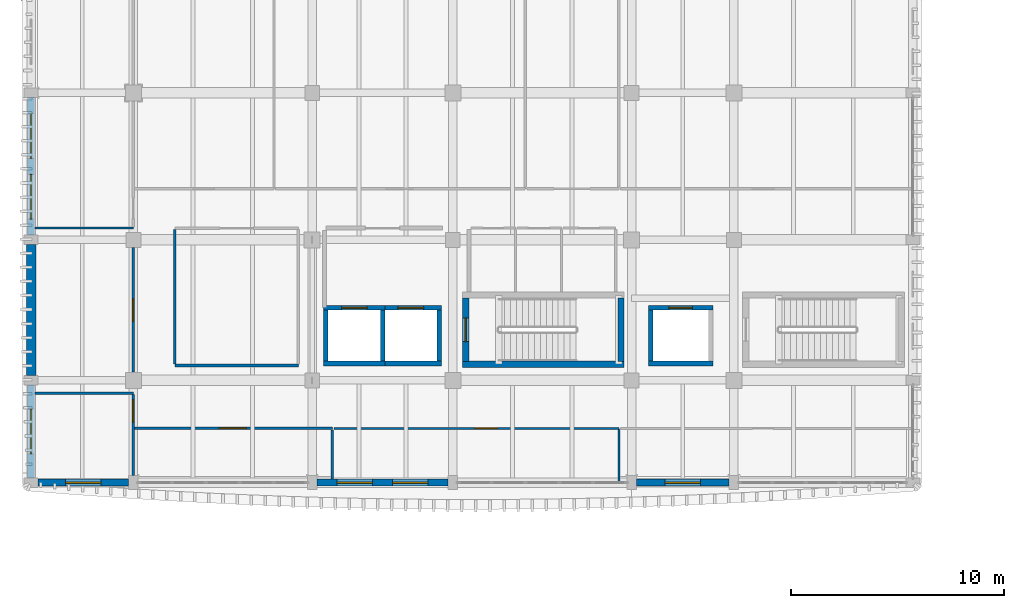
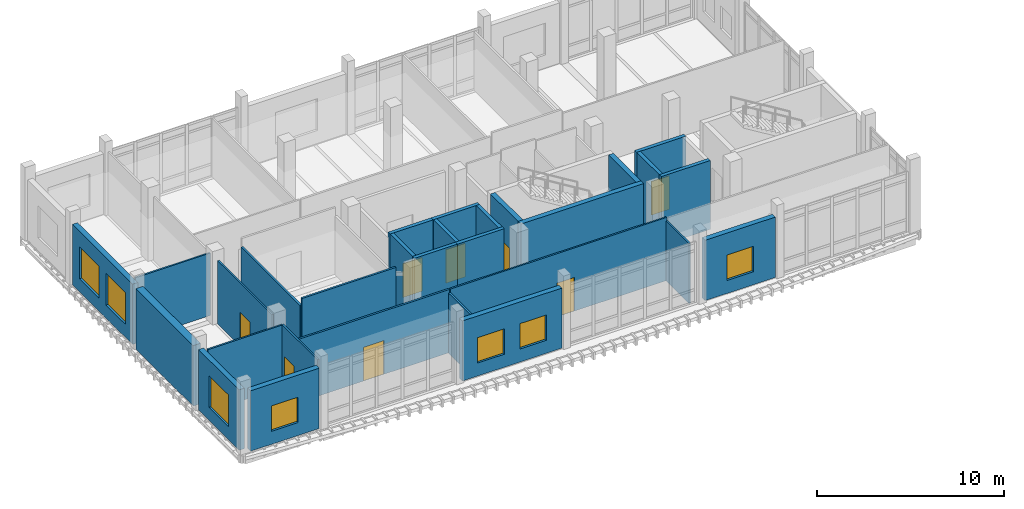
# One storey, part 20 of 39: 29 walls, 8 doors, 7 windows, 15 openings.
"""IFC4 building model written with IfcOpenShell, lengths in metres."""

from ifc_helpers import new_model, si_unit, direction, frame, frame_2d, origin, place, context, subcontext, project, spatial, rectangle, extrude, material, layer, layer_set, type_object, element, fill, save


model = new_model("IFC4")

# Units and contexts
model_context = context("Model", 3, precision=1e-05, world=origin(), true_north=direction((0.0, 1.0)))
body_context = subcontext(model_context, "Body", "Model", "MODEL_VIEW")
ifc_project = project(units=[si_unit("LENGTHUNIT", "METRE"), si_unit("AREAUNIT", "SQUARE_METRE"), si_unit("VOLUMEUNIT", "CUBIC_METRE"), si_unit("PLANEANGLEUNIT", "RADIAN"), si_unit("MASSUNIT", "GRAM", prefix="KILO")], contexts=[model_context])

# Site, building, storey
site_placement = place(None, origin())
site = spatial("IfcSite", under=ifc_project, at=site_placement, CompositionType="ELEMENT")
building_placement = place(site_placement, origin())
building = spatial("IfcBuilding", under=site, at=building_placement, Name="Dornvale Research Institute", CompositionType="ELEMENT")
storey_placement = place(building_placement, frame((0.0, 0.0, 24.60009765625)))
storey = spatial("IfcBuildingStorey", under=building, at=storey_placement, Name="L05", CompositionType="ELEMENT", Elevation=24.60009765625)

# Walls
ifc_material_1 = material(Name="Acoustic Insulated Double-Stud Laboratory Partition")
ifc_layer_1 = layer(ifc_material_1, 0.1201171875)
ifc_layer_set_1 = layer_set([ifc_layer_1], Name="Acoustic Insulated Double-Stud Laboratory Partition")
wall_type_1 = type_object("IfcWallType", Name="Partition_Dry_120", PredefinedType="PARTITIONING", material=ifc_layer_set_1)
wall_1_placement = place(storey_placement, frame((6.75, 104.5, 0.0), z_axis=(0.0, 0.0, 1.0), x_axis=(1.0, 0.0, 0.0)))
element("IfcWall", 1, at=wall_1_placement, inside=storey, type_object=wall_type_1, Name="L05 V5 interior partition #451", PredefinedType="PARTITIONING", context=body_context, shape_type="SweptSolid", body=[
    extrude(rectangle(XDim=5.800048828125, YDim=0.1201171875, at=frame_2d((2.89990234375, 0.0))), origin(), (0.0, 0.0, 1.0), 4.344970703125),
])
wall_2_placement = place(storey_placement, frame((6.75, 104.574951171875, 0.0), z_axis=(0.0, 0.0, 1.0), x_axis=(0.0, 1.0, 0.0)))
element("IfcWall", 2, at=wall_2_placement, inside=storey, type_object=wall_type_1, Name="L05 V5 interior partition #453", PredefinedType="PARTITIONING", context=body_context, shape_type="SweptSolid", body=[
    extrude(rectangle(XDim=6.300048828125, YDim=0.1201171875, at=frame_2d((3.14990234375, 0.0))), origin(), (0.0, 0.0, 1.0), 3.829833984375),
])

# Wall, opening, door
wall_3_placement = place(storey_placement, frame((4.864990234375, 101.550048828125, 0.0), z_axis=(0.0, 0.0, 1.0), x_axis=(1.0, 0.0, 0.0)))
wall_3 = element("IfcWall", 3, at=wall_3_placement, inside=storey, type_object=wall_type_1, Name="L05 V5 interior partition #468", PredefinedType="PARTITIONING", context=body_context, shape_type="SweptSolid", body=[
    extrude(rectangle(XDim=9.284912109375, YDim=0.1201171875, at=frame_2d((4.642578125, 0.0))), origin(), (0.0, 0.0, 1.0), 4.1298828125),
])
opening_1_placement = place(wall_3_placement, frame((3.97509765625, 0.0, 0.0)))
opening_1 = element("IfcOpeningElement", 4, at=opening_1_placement, cuts=wall_3, Name="Opening ID-10", PredefinedType="OPENING", context=body_context, shape_type="SweptSolid", body=[
    extrude(rectangle(XDim=1.260009765625, YDim=2.199951171875, at=frame_2d((0.6298828125, 1.10009765625))), frame((0.0, 0.074951171875, 0.0), z_axis=(0.0, -1.0, 0.0), x_axis=(1.0, 0.0, 0.0)), (0.0, 0.0, 1.0), 0.150146484375),
])
ifc_material_2 = material(Name="Phenolic-Faced Solid-Core Laboratory Door Assembly")
door_type_1 = type_object("IfcDoorType", Name="Door_DryLab_1260x2200", OperationType="SINGLE_SWING_LEFT", PredefinedType="DOOR", material=ifc_material_2)
door_1_placement = place(opening_1_placement, origin())
door_1 = element("IfcDoor", 5, at=door_1_placement, inside=storey, type_object=door_type_1, Name="L05 Computational Neuroscience Laboratory door #192", OperationType="SINGLE_SWING_LEFT", OverallHeight=2.199951171875, OverallWidth=1.260009765625, PredefinedType="DOOR", context=body_context, shape_type="SweptSolid", body=[
    extrude(rectangle(XDim=1.260009765625, YDim=2.199951171875, at=frame_2d((0.6298828125, 1.10009765625))), frame((0.0, 0.02490234375, 0.0), z_axis=(0.0, -1.0, 0.0), x_axis=(1.0, 0.0, 0.0)), (0.0, 0.0, 1.0), 0.050048828125),
])
fill(opening_1, door_1)

# Walls
wall_4_placement = place(storey_placement, frame((14.14990234375, 99.175048828125, 0.0), z_axis=(0.0, 0.0, 1.0), x_axis=(0.0, 1.0, 0.0)))
element("IfcWall", 6, at=wall_4_placement, inside=storey, type_object=wall_type_1, Name="L05 V5 interior partition #469", PredefinedType="PARTITIONING", context=body_context, shape_type="SweptSolid", body=[
    extrude(rectangle(XDim=2.300048828125, YDim=0.1201171875, at=frame_2d((1.14990234375, 0.0))), origin(), (0.0, 0.0, 1.0), 3.929931640625),
])
ifc_material_3 = material(Name="Acoustic Insulated Double-Stud Laboratory Partition")
ifc_layer_2 = layer(ifc_material_3, 0.10009765625)
ifc_layer_set_2 = layer_set([ifc_layer_2], Name="Acoustic Insulated Double-Stud Laboratory Partition")
wall_type_2 = type_object("IfcWallType", Name="Partition_Office_100", PredefinedType="PARTITIONING", material=ifc_layer_set_2)
for number, where, z_axis, x_axis, name in (
    (7, (0.175048828125, 103.199951171875, 0.0), (0.0, 0.0, 1.0), (1.0, 0.0, 0.0), "L05 V5 interior partition #455"),
    (8, (0.175048828125, 110.949951171875, 0.0), (0.0, 0.0, 1.0), (1.0, 0.0, 0.0), "L05 V5 interior partition #456"),
):
    element("IfcWall", number, at=place(storey_placement, frame(where, z_axis=z_axis, x_axis=x_axis)), inside=storey, type_object=wall_type_2, Name=name, PredefinedType="PARTITIONING", context=body_context, shape_type="SweptSolid", body=[
        extrude(rectangle(XDim=4.625, YDim=0.10009765625, at=frame_2d((2.3125, 0.0))), origin(), (0.0, 0.0, 1.0), 4.079833984375),
    ])

# Wall, opening, door
wall_5_placement = place(storey_placement, frame((4.800048828125, 104.195068359375, 0.0), z_axis=(0.0, 0.0, 1.0), x_axis=(0.0, 1.0, 0.0)))
wall_5 = element("IfcWall", 9, at=wall_5_placement, inside=storey, type_object=wall_type_2, Name="L05 V5 interior partition #457", PredefinedType="PARTITIONING", context=body_context, shape_type="SweptSolid", body=[
    extrude(rectangle(XDim=5.8349609375, YDim=0.10009765625, at=frame_2d((2.91748046875, 0.0))), origin(), (0.0, 0.0, 1.0), 4.1298828125),
])
opening_2_placement = place(wall_5_placement, frame((2.375, 0.0, 0.0)))
opening_2 = element("IfcOpeningElement", 10, at=opening_2_placement, cuts=wall_5, Name="Opening ID-19", PredefinedType="OPENING", context=body_context, shape_type="SweptSolid", body=[
    extrude(rectangle(XDim=1.06005859375, YDim=2.199951171875, at=frame_2d((0.530029296875, 1.10009765625))), frame((0.0, 0.06494140625, 0.0), z_axis=(0.0, -1.0, 0.0), x_axis=(1.0, 0.0, 0.0)), (0.0, 0.0, 1.0), 0.130126953125),
])
ifc_material_4 = material(Name="Phenolic-Faced Solid-Core Laboratory Door Assembly")
door_type_2 = type_object("IfcDoorType", Name="Door_WriteUp_1060x2200", OperationType="SINGLE_SWING_LEFT", PredefinedType="DOOR", material=ifc_material_4)
door_2_placement = place(opening_2_placement, origin())
door_2 = element("IfcDoor", 11, at=door_2_placement, inside=storey, type_object=door_type_2, Name="L05 Computational Print and Plotting Room L05 door #185", OperationType="SINGLE_SWING_RIGHT", OverallHeight=2.199951171875, OverallWidth=1.06005859375, PredefinedType="DOOR", context=body_context, shape_type="SweptSolid", body=[
    extrude(rectangle(XDim=1.06005859375, YDim=2.199951171875, at=frame_2d((0.530029296875, 1.10009765625))), frame((0.0, 0.02490234375, 0.0), z_axis=(0.0, -1.0, 0.0), x_axis=(1.0, 0.0, 0.0)), (0.0, 0.0, 1.0), 0.050048828125),
])
fill(opening_2, door_2)

wall_6_placement = place(storey_placement, frame((4.800048828125, 99.344970703125, 0.0), z_axis=(0.0, 0.0, 1.0), x_axis=(0.0, 1.0, 0.0)))
wall_6 = element("IfcWall", 12, at=wall_6_placement, inside=storey, type_object=wall_type_2, Name="L05 V5 interior partition #467", PredefinedType="PARTITIONING", context=body_context, shape_type="SweptSolid", body=[
    extrude(rectangle(XDim=3.7900390625, YDim=0.10009765625, at=frame_2d((1.89501953125, 0.0))), origin(), (0.0, 0.0, 1.0), 4.1298828125),
])
opening_3_placement = place(wall_6_placement, frame((2.47998046875, 0.0, 0.0)))
opening_3 = element("IfcOpeningElement", 13, at=opening_3_placement, cuts=wall_6, Name="Opening ID-19", PredefinedType="OPENING", context=body_context, shape_type="SweptSolid", body=[
    extrude(rectangle(XDim=1.06005859375, YDim=2.199951171875, at=frame_2d((0.530029296875, 1.10009765625))), frame((0.0, 0.06494140625, 0.0), z_axis=(0.0, -1.0, 0.0), x_axis=(1.0, 0.0, 0.0)), (0.0, 0.0, 1.0), 0.130126953125),
])
door_3_placement = place(opening_3_placement, origin())
door_3 = element("IfcDoor", 14, at=door_3_placement, inside=storey, type_object=door_type_2, Name="L05 Research Instrument Study L05 door #191", OperationType="SINGLE_SWING_RIGHT", OverallHeight=2.199951171875, OverallWidth=1.06005859375, PredefinedType="DOOR", context=body_context, shape_type="SweptSolid", body=[
    extrude(rectangle(XDim=1.06005859375, YDim=2.199951171875, at=frame_2d((0.530029296875, 1.10009765625))), frame((0.0, 0.02490234375, 0.0), z_axis=(0.0, -1.0, 0.0), x_axis=(1.0, 0.0, 0.0)), (0.0, 0.0, 1.0), 0.050048828125),
])
fill(opening_3, door_3)

wall_7_placement = place(storey_placement, frame((14.22509765625, 101.550048828125, 0.0), z_axis=(0.0, 0.0, 1.0), x_axis=(1.0, 0.0, 0.0)))
wall_7 = element("IfcWall", 15, at=wall_7_placement, inside=storey, type_object=wall_type_2, Name="L05 V5 interior partition #470", PredefinedType="PARTITIONING", context=body_context, shape_type="SweptSolid", body=[
    extrude(rectangle(XDim=13.375, YDim=0.10009765625, at=frame_2d((6.6875, 0.0))), origin(), (0.0, 0.0, 1.0), 4.1298828125),
])
opening_4_placement = place(wall_7_placement, frame((6.594970703125, 0.0, 0.0)))
opening_4 = element("IfcOpeningElement", 16, at=opening_4_placement, cuts=wall_7, Name="Opening ID-19", PredefinedType="OPENING", context=body_context, shape_type="SweptSolid", body=[
    extrude(rectangle(XDim=1.06005859375, YDim=2.199951171875, at=frame_2d((0.530029296875, 1.10009765625))), frame((0.0, 0.06494140625, 0.0), z_axis=(0.0, -1.0, 0.0), x_axis=(1.0, 0.0, 0.0)), (0.0, 0.0, 1.0), 0.130126953125),
])
door_4_placement = place(opening_4_placement, origin())
door_4 = element("IfcDoor", 17, at=door_4_placement, inside=storey, type_object=door_type_2, Name="L05 Postdoctoral Write-Up Suite L05 door #193", OperationType="SINGLE_SWING_RIGHT", OverallHeight=2.199951171875, OverallWidth=1.06005859375, PredefinedType="DOOR", context=body_context, shape_type="SweptSolid", body=[
    extrude(rectangle(XDim=1.06005859375, YDim=2.199951171875, at=frame_2d((0.530029296875, 1.10009765625))), frame((0.0, 0.02490234375, 0.0), z_axis=(0.0, -1.0, 0.0), x_axis=(1.0, 0.0, 0.0)), (0.0, 0.0, 1.0), 0.050048828125),
])
fill(opening_4, door_4)

# Walls
wall_8_placement = place(storey_placement, frame((27.60009765625, 99.0400390625, 0.0), z_axis=(0.0, 0.0, 1.0), x_axis=(0.0, 1.0, 0.0)))
element("IfcWall", 18, at=wall_8_placement, inside=storey, type_object=wall_type_2, Name="L05 V5 interior partition #471", PredefinedType="PARTITIONING", context=body_context, shape_type="SweptSolid", body=[
    extrude(rectangle(XDim=2.445068359375, YDim=0.10009765625, at=frame_2d((1.22265625, 0.0))), origin(), (0.0, 0.0, 1.0), 3.929931640625),
])
ifc_material_5 = material(Name="Concrete f'c 50 MPa (C40/50)", Category="concrete")
ifc_layer_3 = layer(ifc_material_5, 0.300048828125)
ifc_layer_set_3 = layer_set([ifc_layer_3], Name="Concrete f'c 50 MPa (C40/50)")
wall_type_3 = type_object("IfcWallType", Name="ShearWall_Core_300", PredefinedType="SHEAR", material=ifc_layer_set_3)
wall_9_placement = place(storey_placement, frame((20.25, 104.550048828125, 0.0), z_axis=(0.0, 0.0, 1.0), x_axis=(1.0, 0.0, 0.0)))
element("IfcWall", 19, at=wall_9_placement, inside=storey, type_object=wall_type_3, Name="L05 ST-1 shaft shear wall south", PredefinedType="SHEAR", context=body_context, shape_type="SweptSolid", body=[
    extrude(rectangle(XDim=7.60009765625, YDim=0.300048828125, at=frame_2d((3.800048828125, 0.0))), origin(), (0.0, 0.0, 1.0), 4.5),
])

# Wall, opening, door
wall_10_placement = place(storey_placement, frame((20.39990234375, 104.699951171875, 0.0), z_axis=(0.0, 0.0, 1.0), x_axis=(0.0, 1.0, 0.0)))
wall_10 = element("IfcWall", 20, at=wall_10_placement, inside=storey, type_object=wall_type_3, Name="L05 ST-1 shaft shear wall west", PredefinedType="SHEAR", context=body_context, shape_type="SweptSolid", body=[
    extrude(rectangle(XDim=2.9599609375, YDim=0.300048828125, at=frame_2d((1.47998046875, 0.0))), origin(), (0.0, 0.0, 1.0), 4.5),
])
opening_5_placement = place(wall_10_placement, frame((0.919921875, 0.0, 0.0)))
opening_5 = element("IfcOpeningElement", 21, at=opening_5_placement, cuts=wall_10, Name="Opening SD-01", PredefinedType="OPENING", context=body_context, shape_type="SweptSolid", body=[
    extrude(rectangle(XDim=1.1201171875, YDim=2.199951171875, at=frame_2d((0.56005859375, 1.10009765625))), frame((0.0, 0.1650390625, 0.0), z_axis=(0.0, -1.0, 0.0), x_axis=(1.0, 0.0, 0.0)), (0.0, 0.0, 1.0), 0.330078125),
])
ifc_material_6 = material(Name="Insulated Fire-Rated Hollow Metal Door Assembly")
door_type_3 = type_object("IfcDoorType", Name="Door_Stair_1120x2200", OperationType="SINGLE_SWING_LEFT", PredefinedType="DOOR", material=ifc_material_6)
door_5_placement = place(opening_5_placement, origin())
door_5 = element("IfcDoor", 22, at=door_5_placement, inside=storey, type_object=door_type_3, Name="L05 ST-1 exit stair door #7", OperationType="SINGLE_SWING_LEFT", OverallHeight=2.199951171875, OverallWidth=1.1201171875, PredefinedType="DOOR", context=body_context, shape_type="SweptSolid", body=[
    extrude(rectangle(XDim=1.1201171875, YDim=2.199951171875, at=frame_2d((0.56005859375, 1.10009765625))), frame((0.0, 0.02490234375, 0.0), z_axis=(0.0, -1.0, 0.0), x_axis=(1.0, 0.0, 0.0)), (0.0, 0.0, 1.0), 0.050048828125),
])
fill(opening_5, door_5)

# Walls
wall_11_placement = place(storey_placement, frame((27.699951171875, 104.699951171875, 0.0), z_axis=(0.0, 0.0, 1.0), x_axis=(0.0, 1.0, 0.0)))
element("IfcWall", 23, at=wall_11_placement, inside=storey, type_object=wall_type_3, Name="L05 ST-1 shaft shear wall east", PredefinedType="SHEAR", context=body_context, shape_type="SweptSolid", body=[
    extrude(rectangle(XDim=2.9599609375, YDim=0.300048828125, at=frame_2d((1.47998046875, 0.0))), origin(), (0.0, 0.0, 1.0), 4.5),
])
ifc_material_7 = material(Name="Concrete f'c 45 MPa (C35/45)", Category="concrete")
ifc_layer_4 = layer(ifc_material_7, 0.219970703125)
ifc_layer_set_4 = layer_set([ifc_layer_4], Name="Concrete f'c 45 MPa (C35/45)")
wall_type_4 = type_object("IfcWallType", Name="ShearWall_Shaft_220", PredefinedType="SHEAR", material=ifc_layer_set_4)
wall_12_placement = place(storey_placement, frame((13.72998046875, 104.590087890625, 0.0), z_axis=(0.0, 0.0, 1.0), x_axis=(1.0, 0.0, 0.0)))
element("IfcWall", 24, at=wall_12_placement, inside=storey, type_object=wall_type_4, Name="L05 FS1 elevator shaft wall south", PredefinedType="SHEAR", context=body_context, shape_type="SweptSolid", body=[
    extrude(rectangle(XDim=2.89013671875, YDim=0.219970703125, at=frame_2d((1.445068359375, 0.0))), origin(), (0.0, 0.0, 1.0), 4.5),
])

# Wall, opening, door
wall_13_placement = place(storey_placement, frame((13.72998046875, 107.2099609375, 0.0), z_axis=(0.0, 0.0, 1.0), x_axis=(1.0, 0.0, 0.0)))
wall_13 = element("IfcWall", 25, at=wall_13_placement, inside=storey, type_object=wall_type_4, Name="L05 FS1 elevator shaft wall north", PredefinedType="SHEAR", context=body_context, shape_type="SweptSolid", body=[
    extrude(rectangle(XDim=2.89013671875, YDim=0.219970703125, at=frame_2d((1.445068359375, 0.0))), origin(), (0.0, 0.0, 1.0), 4.5),
])
opening_6_placement = place(wall_13_placement, frame((0.844970703125, 0.0, 0.0)))
opening_6 = element("IfcOpeningElement", 26, at=opening_6_placement, cuts=wall_13, Name="Opening LD-01", PredefinedType="OPENING", context=body_context, shape_type="SweptSolid", body=[
    extrude(rectangle(XDim=1.199951171875, YDim=2.199951171875, at=frame_2d((0.60009765625, 1.10009765625))), frame((0.0, 0.125, 0.0), z_axis=(0.0, -1.0, 0.0), x_axis=(1.0, 0.0, 0.0)), (0.0, 0.0, 1.0), 0.25),
])
ifc_material_8 = material(Name="Brushed Stainless Steel Sliding Elevator Landing Door", Category="steel")
door_type_4 = type_object("IfcDoorType", Name="Door_LiftLanding_FSAE_1200x2200", OperationType="SINGLE_SWING_LEFT", PredefinedType="DOOR", material=ifc_material_8)
door_6_placement = place(opening_6_placement, origin())
door_6 = element("IfcDoor", 27, at=door_6_placement, inside=storey, type_object=door_type_4, Name="L05 FS1 sliding elevator landing door #7", OperationType="DOUBLE_DOOR_SLIDING", OverallHeight=2.199951171875, OverallWidth=1.199951171875, PredefinedType="DOOR", context=body_context, shape_type="SweptSolid", body=[
    extrude(rectangle(XDim=1.199951171875, YDim=2.199951171875, at=frame_2d((0.60009765625, 1.10009765625))), frame((0.0, 0.02490234375, 0.0), z_axis=(0.0, -1.0, 0.0), x_axis=(1.0, 0.0, 0.0)), (0.0, 0.0, 1.0), 0.050048828125),
])
fill(opening_6, door_6)

# Walls
for number, where, z_axis, x_axis, name in (
    (28, (13.840087890625, 104.699951171875, 0.0), (0.0, 0.0, 1.0), (0.0, 1.0, 0.0), "L05 FS1 elevator shaft wall west"),
    (29, (16.510009765625, 104.699951171875, 0.0), (0.0, 0.0, 1.0), (0.0, 1.0, 0.0), "L05 FS1 elevator shaft wall east"),
):
    element("IfcWall", number, at=place(storey_placement, frame(where, z_axis=z_axis, x_axis=x_axis)), inside=storey, type_object=wall_type_4, Name=name, PredefinedType="SHEAR", context=body_context, shape_type="SweptSolid", body=[
        extrude(rectangle(XDim=2.400146484375, YDim=0.219970703125, at=frame_2d((1.2001953125, 0.0))), origin(), (0.0, 0.0, 1.0), 4.5),
    ])
wall_14_placement = place(storey_placement, frame((16.3798828125, 104.590087890625, 0.0), z_axis=(0.0, 0.0, 1.0), x_axis=(1.0, 0.0, 0.0)))
element("IfcWall", 30, at=wall_14_placement, inside=storey, type_object=wall_type_4, Name="L05 FS2 elevator shaft wall south", PredefinedType="SHEAR", context=body_context, shape_type="SweptSolid", body=[
    extrude(rectangle(XDim=2.89013671875, YDim=0.219970703125, at=frame_2d((1.445068359375, 0.0))), origin(), (0.0, 0.0, 1.0), 4.5),
])

# Wall, opening, door
wall_15_placement = place(storey_placement, frame((16.3798828125, 107.2099609375, 0.0), z_axis=(0.0, 0.0, 1.0), x_axis=(1.0, 0.0, 0.0)))
wall_15 = element("IfcWall", 31, at=wall_15_placement, inside=storey, type_object=wall_type_4, Name="L05 FS2 elevator shaft wall north", PredefinedType="SHEAR", context=body_context, shape_type="SweptSolid", body=[
    extrude(rectangle(XDim=2.89013671875, YDim=0.219970703125, at=frame_2d((1.445068359375, 0.0))), origin(), (0.0, 0.0, 1.0), 4.5),
])
opening_7_placement = place(wall_15_placement, frame((0.844970703125, 0.0, 0.0)))
opening_7 = element("IfcOpeningElement", 32, at=opening_7_placement, cuts=wall_15, Name="Opening LD-01", PredefinedType="OPENING", context=body_context, shape_type="SweptSolid", body=[
    extrude(rectangle(XDim=1.199951171875, YDim=2.199951171875, at=frame_2d((0.60009765625, 1.10009765625))), frame((0.0, 0.125, 0.0), z_axis=(0.0, -1.0, 0.0), x_axis=(1.0, 0.0, 0.0)), (0.0, 0.0, 1.0), 0.25),
])
door_7_placement = place(opening_7_placement, origin())
door_7 = element("IfcDoor", 33, at=door_7_placement, inside=storey, type_object=door_type_4, Name="L05 FS2 sliding elevator landing door #19", OperationType="DOUBLE_DOOR_SLIDING", OverallHeight=2.199951171875, OverallWidth=1.199951171875, PredefinedType="DOOR", context=body_context, shape_type="SweptSolid", body=[
    extrude(rectangle(XDim=1.199951171875, YDim=2.199951171875, at=frame_2d((0.60009765625, 1.10009765625))), frame((0.0, 0.02490234375, 0.0), z_axis=(0.0, -1.0, 0.0), x_axis=(1.0, 0.0, 0.0)), (0.0, 0.0, 1.0), 0.050048828125),
])
fill(opening_7, door_7)

# Walls
wall_16_placement = place(storey_placement, frame((19.159912109375, 104.699951171875, 0.0), z_axis=(0.0, 0.0, 1.0), x_axis=(0.0, 1.0, 0.0)))
element("IfcWall", 34, at=wall_16_placement, inside=storey, type_object=wall_type_4, Name="L05 FS2 elevator shaft wall east", PredefinedType="SHEAR", context=body_context, shape_type="SweptSolid", body=[
    extrude(rectangle(XDim=2.400146484375, YDim=0.219970703125, at=frame_2d((1.2001953125, 0.0))), origin(), (0.0, 0.0, 1.0), 4.5),
])
wall_17_placement = place(storey_placement, frame((28.97998046875, 104.590087890625, 0.0), z_axis=(0.0, 0.0, 1.0), x_axis=(1.0, 0.0, 0.0)))
element("IfcWall", 35, at=wall_17_placement, inside=storey, type_object=wall_type_4, Name="L05 LP1 elevator shaft wall south", PredefinedType="SHEAR", context=body_context, shape_type="SweptSolid", body=[
    extrude(rectangle(XDim=3.0400390625, YDim=0.219970703125, at=frame_2d((1.52001953125, 0.0))), origin(), (0.0, 0.0, 1.0), 4.5),
])

# Wall, opening, door
wall_18_placement = place(storey_placement, frame((28.97998046875, 107.2099609375, 0.0), z_axis=(0.0, 0.0, 1.0), x_axis=(1.0, 0.0, 0.0)))
wall_18 = element("IfcWall", 36, at=wall_18_placement, inside=storey, type_object=wall_type_4, Name="L05 LP1 elevator shaft wall north", PredefinedType="SHEAR", context=body_context, shape_type="SweptSolid", body=[
    extrude(rectangle(XDim=3.0400390625, YDim=0.219970703125, at=frame_2d((1.52001953125, 0.0))), origin(), (0.0, 0.0, 1.0), 4.5),
])
opening_8_placement = place(wall_18_placement, frame((0.969970703125, 0.0, 0.0)))
opening_8 = element("IfcOpeningElement", 37, at=opening_8_placement, cuts=wall_18, Name="Opening LD-02", PredefinedType="OPENING", context=body_context, shape_type="SweptSolid", body=[
    extrude(rectangle(XDim=1.10009765625, YDim=2.199951171875, at=frame_2d((0.550048828125, 1.10009765625))), frame((0.0, 0.125, 0.0), z_axis=(0.0, -1.0, 0.0), x_axis=(1.0, 0.0, 0.0)), (0.0, 0.0, 1.0), 0.25),
])
ifc_material_9 = material(Name="Brushed Stainless Steel Sliding Elevator Landing Door", Category="steel")
door_type_5 = type_object("IfcDoorType", Name="Door_LiftLanding_Pass_1100x2200", OperationType="SINGLE_SWING_LEFT", PredefinedType="DOOR", material=ifc_material_9)
door_8_placement = place(opening_8_placement, origin())
door_8 = element("IfcDoor", 38, at=door_8_placement, inside=storey, type_object=door_type_5, Name="L05 LP1 sliding elevator landing door #31", OperationType="SLIDING_TO_LEFT", OverallHeight=2.199951171875, OverallWidth=1.10009765625, PredefinedType="DOOR", context=body_context, shape_type="SweptSolid", body=[
    extrude(rectangle(XDim=1.10009765625, YDim=2.199951171875, at=frame_2d((0.550048828125, 1.10009765625))), frame((0.0, 0.02490234375, 0.0), z_axis=(0.0, -1.0, 0.0), x_axis=(1.0, 0.0, 0.0)), (0.0, 0.0, 1.0), 0.050048828125),
])
fill(opening_8, door_8)

# Walls
wall_19_placement = place(storey_placement, frame((29.090087890625, 104.699951171875, 0.0), z_axis=(0.0, 0.0, 1.0), x_axis=(0.0, 1.0, 0.0)))
element("IfcWall", 39, at=wall_19_placement, inside=storey, type_object=wall_type_4, Name="L05 LP1 elevator shaft wall west", PredefinedType="SHEAR", context=body_context, shape_type="SweptSolid", body=[
    extrude(rectangle(XDim=2.400146484375, YDim=0.219970703125, at=frame_2d((1.2001953125, 0.0))), origin(), (0.0, 0.0, 1.0), 4.5),
])
ifc_material_10 = material(Name="Precast Concrete f'c 40 MPa (C32/40) and Glazed Terracotta Backup Wall", Category="masonry")
ifc_layer_5 = layer(ifc_material_10, 0.449951171875)
ifc_layer_set_5 = layer_set([ifc_layer_5], Name="Precast Concrete f'c 40 MPa (C32/40) and Glazed Terracotta Backup Wall")
wall_type_5 = type_object("IfcWallType", Name="SolidWall_ShearBraceBay_450", PredefinedType="SOLIDWALL", material=ifc_layer_set_5)
wall_20_placement = place(storey_placement, frame((0.0, 104.02490234375, 0.0), z_axis=(0.0, 0.0, 1.0), x_axis=(0.0, 1.0, 0.0)))
element("IfcWall", 40, at=wall_20_placement, inside=storey, type_object=wall_type_5, Name="L05 V5 west exterior wall #358", PredefinedType="SOLIDWALL", context=body_context, shape_type="SweptSolid", body=[
    extrude(rectangle(XDim=6.150146484375, YDim=0.449951171875, at=frame_2d((3.0751953125, 0.0))), origin(), (0.0, 0.0, 1.0), 3.949951171875),
])

# Wall, opening, window
ifc_material_11 = material(Name="Catalan Pressed Brick and Insulated Cavity Assembly", Category="masonry")
ifc_layer_6 = layer(ifc_material_11, 0.320068359375)
ifc_layer_set_6 = layer_set([ifc_layer_6], Name="Catalan Pressed Brick and Insulated Cavity Assembly")
wall_type_6 = type_object("IfcWallType", Name="StandardWall_BrickCavity_320", PredefinedType="STANDARD", material=ifc_layer_set_6)
wall_21_placement = place(storey_placement, frame((0.0, 99.22509765625, 0.0), z_axis=(0.0, 0.0, 1.0), x_axis=(0.0, 1.0, 0.0)))
wall_21 = element("IfcWall", 41, at=wall_21_placement, inside=storey, type_object=wall_type_6, Name="L05 V5 west exterior wall #357", PredefinedType="STANDARD", context=body_context, shape_type="SweptSolid", body=[
    extrude(rectangle(XDim=4.349853515625, YDim=0.320068359375, at=frame_2d((2.1748046875, 0.0))), origin(), (0.0, 0.0, 1.0), 3.949951171875),
])
opening_9_placement = place(wall_21_placement, frame((1.125, 0.0, 0.85009765625)))
opening_9 = element("IfcOpeningElement", 42, at=opening_9_placement, cuts=wall_21, Name="Opening W-43", PredefinedType="OPENING", context=body_context, shape_type="SweptSolid", body=[
    extrude(rectangle(XDim=2.10009765625, YDim=2.080078125, at=frame_2d((1.050048828125, 1.0400390625))), frame((0.0, 0.175048828125, 0.0), z_axis=(0.0, -1.0, 0.0), x_axis=(1.0, 0.0, 0.0)), (0.0, 0.0, 1.0), 0.35009765625),
])
ifc_material_12 = material(Name="Low-E Argon Double Insulating Glazing Unit", Category="glass")
window_type_1 = type_object("IfcWindowType", Name="Window_Alu_2100x2080_43", PartitioningType="DOUBLE_PANEL_VERTICAL", PredefinedType="WINDOW", material=ifc_material_12)
window_1_placement = place(opening_9_placement, origin())
window_1 = element("IfcWindow", 43, at=window_1_placement, inside=storey, type_object=window_type_1, Name="L05 V5 facade window W-43 #478", OverallHeight=2.080078125, OverallWidth=2.10009765625, PartitioningType="DOUBLE_PANEL_VERTICAL", PredefinedType="WINDOW", context=body_context, shape_type="SweptSolid", body=[
    extrude(rectangle(XDim=2.10009765625, YDim=2.080078125, at=frame_2d((1.050048828125, 1.0400390625))), frame((0.0, 0.030029296875, 0.0), z_axis=(0.0, -1.0, 0.0), x_axis=(1.0, 0.0, 0.0)), (0.0, 0.0, 1.0), 0.06005859375),
])
fill(opening_9, window_1)

# Wall, openings, windows
wall_22_placement = place(storey_placement, frame((0.0, 110.625, 0.0), z_axis=(0.0, 0.0, 1.0), x_axis=(0.0, 1.0, 0.0)))
wall_22 = element("IfcWall", 44, at=wall_22_placement, inside=storey, type_object=wall_type_6, Name="L05 V5 west exterior wall #359", PredefinedType="STANDARD", context=body_context, shape_type="SweptSolid", body=[
    extrude(rectangle(XDim=6.449951171875, YDim=0.320068359375, at=frame_2d((3.22509765625, 0.0))), origin(), (0.0, 0.0, 1.0), 3.949951171875),
])
opening_10_placement = place(wall_22_placement, frame((0.75, 0.0, 0.85009765625)))
opening_10 = element("IfcOpeningElement", 45, at=opening_10_placement, cuts=wall_22, Name="Opening W-43", PredefinedType="OPENING", context=body_context, shape_type="SweptSolid", body=[
    extrude(rectangle(XDim=2.10009765625, YDim=2.080078125, at=frame_2d((1.050048828125, 1.0400390625))), frame((0.0, 0.175048828125, 0.0), z_axis=(0.0, -1.0, 0.0), x_axis=(1.0, 0.0, 0.0)), (0.0, 0.0, 1.0), 0.35009765625),
])
opening_11_placement = place(wall_22_placement, frame((3.60009765625, 0.0, 0.85009765625)))
opening_11 = element("IfcOpeningElement", 46, at=opening_11_placement, cuts=wall_22, Name="Opening W-43", PredefinedType="OPENING", context=body_context, shape_type="SweptSolid", body=[
    extrude(rectangle(XDim=2.10009765625, YDim=2.080078125, at=frame_2d((1.050048828125, 1.0400390625))), frame((0.0, 0.175048828125, 0.0), z_axis=(0.0, -1.0, 0.0), x_axis=(1.0, 0.0, 0.0)), (0.0, 0.0, 1.0), 0.35009765625),
])
window_2_placement = place(opening_10_placement, origin())
window_2 = element("IfcWindow", 47, at=window_2_placement, inside=storey, type_object=window_type_1, Name="L05 V5 facade window W-43 #479", OverallHeight=2.080078125, OverallWidth=2.10009765625, PartitioningType="DOUBLE_PANEL_VERTICAL", PredefinedType="WINDOW", context=body_context, shape_type="SweptSolid", body=[
    extrude(rectangle(XDim=2.10009765625, YDim=2.080078125, at=frame_2d((1.050048828125, 1.0400390625))), frame((0.0, 0.030029296875, 0.0), z_axis=(0.0, -1.0, 0.0), x_axis=(1.0, 0.0, 0.0)), (0.0, 0.0, 1.0), 0.06005859375),
])
fill(opening_10, window_2)
window_3_placement = place(opening_11_placement, origin())
window_3 = element("IfcWindow", 48, at=window_3_placement, inside=storey, type_object=window_type_1, Name="L05 V5 facade window W-43 #480", OverallHeight=2.080078125, OverallWidth=2.10009765625, PartitioningType="DOUBLE_PANEL_VERTICAL", PredefinedType="WINDOW", context=body_context, shape_type="SweptSolid", body=[
    extrude(rectangle(XDim=2.10009765625, YDim=2.080078125, at=frame_2d((1.050048828125, 1.0400390625))), frame((0.0, 0.030029296875, 0.0), z_axis=(0.0, -1.0, 0.0), x_axis=(1.0, 0.0, 0.0)), (0.0, 0.0, 1.0), 0.06005859375),
])
fill(opening_11, window_3)

# Wall, opening, window
wall_23_placement = place(storey_placement, frame((32.77490234375, 99.0, 0.0), z_axis=(0.0, 0.0, 1.0), x_axis=(-1.0, 0.0, 0.0)))
wall_23 = element("IfcWall", 49, at=wall_23_placement, inside=storey, type_object=wall_type_6, Name="L05 V5 south exterior wall #366", PredefinedType="STANDARD", context=body_context, shape_type="SweptSolid", body=[
    extrude(rectangle(XDim=4.349853515625, YDim=0.320068359375, at=frame_2d((2.1748046875, 0.0))), origin(), (0.0, 0.0, 1.0), 3.949951171875),
])
opening_12_placement = place(wall_23_placement, frame((1.35009765625, 0.0, 0.85009765625)))
opening_12 = element("IfcOpeningElement", 50, at=opening_12_placement, cuts=wall_23, Name="Opening W-04", PredefinedType="OPENING", context=body_context, shape_type="SweptSolid", body=[
    extrude(rectangle(XDim=1.64990234375, YDim=1.659912109375, at=frame_2d((0.824951171875, 0.830078125))), frame((0.0, 0.175048828125, 0.0), z_axis=(0.0, -1.0, 0.0), x_axis=(1.0, 0.0, 0.0)), (0.0, 0.0, 1.0), 0.35009765625),
])
ifc_material_13 = material(Name="Low-E Argon Double Insulating Glazing Unit", Category="glass")
window_type_2 = type_object("IfcWindowType", Name="Window_Alu_1650x1660_04", PartitioningType="SINGLE_PANEL", PredefinedType="WINDOW", material=ifc_material_13)
window_4_placement = place(opening_12_placement, origin())
window_4 = element("IfcWindow", 51, at=window_4_placement, inside=storey, type_object=window_type_2, Name="L05 V5 facade window W-04 #489", OverallHeight=1.659912109375, OverallWidth=1.64990234375, PartitioningType="SINGLE_PANEL", PredefinedType="WINDOW", context=body_context, shape_type="SweptSolid", body=[
    extrude(rectangle(XDim=1.64990234375, YDim=1.659912109375, at=frame_2d((0.824951171875, 0.830078125))), frame((0.0, 0.030029296875, 0.0), z_axis=(0.0, -1.0, 0.0), x_axis=(1.0, 0.0, 0.0)), (0.0, 0.0, 1.0), 0.06005859375),
])
fill(opening_12, window_4)

# Wall, openings, windows
wall_24_placement = place(storey_placement, frame((19.574951171875, 99.0, 0.0), z_axis=(0.0, 0.0, 1.0), x_axis=(-1.0, 0.0, 0.0)))
wall_24 = element("IfcWall", 52, at=wall_24_placement, inside=storey, type_object=wall_type_6, Name="L05 V5 south exterior wall #367", PredefinedType="STANDARD", context=body_context, shape_type="SweptSolid", body=[
    extrude(rectangle(XDim=6.14990234375, YDim=0.320068359375, at=frame_2d((3.074951171875, 0.0))), origin(), (0.0, 0.0, 1.0), 3.929931640625),
])
opening_13_placement = place(wall_24_placement, frame((0.949951171875, 0.0, 0.85009765625)))
opening_13 = element("IfcOpeningElement", 53, at=opening_13_placement, cuts=wall_24, Name="Opening W-04", PredefinedType="OPENING", context=body_context, shape_type="SweptSolid", body=[
    extrude(rectangle(XDim=1.64990234375, YDim=1.659912109375, at=frame_2d((0.824951171875, 0.830078125))), frame((0.0, 0.175048828125, 0.0), z_axis=(0.0, -1.0, 0.0), x_axis=(1.0, 0.0, 0.0)), (0.0, 0.0, 1.0), 0.35009765625),
])
opening_14_placement = place(wall_24_placement, frame((3.550048828125, 0.0, 0.85009765625)))
opening_14 = element("IfcOpeningElement", 54, at=opening_14_placement, cuts=wall_24, Name="Opening W-04", PredefinedType="OPENING", context=body_context, shape_type="SweptSolid", body=[
    extrude(rectangle(XDim=1.64990234375, YDim=1.659912109375, at=frame_2d((0.824951171875, 0.830078125))), frame((0.0, 0.175048828125, 0.0), z_axis=(0.0, -1.0, 0.0), x_axis=(1.0, 0.0, 0.0)), (0.0, 0.0, 1.0), 0.35009765625),
])
window_5_placement = place(opening_13_placement, origin())
window_5 = element("IfcWindow", 55, at=window_5_placement, inside=storey, type_object=window_type_2, Name="L05 V5 facade window W-04 #490", OverallHeight=1.659912109375, OverallWidth=1.64990234375, PartitioningType="SINGLE_PANEL", PredefinedType="WINDOW", context=body_context, shape_type="SweptSolid", body=[
    extrude(rectangle(XDim=1.64990234375, YDim=1.659912109375, at=frame_2d((0.824951171875, 0.830078125))), frame((0.0, 0.030029296875, 0.0), z_axis=(0.0, -1.0, 0.0), x_axis=(1.0, 0.0, 0.0)), (0.0, 0.0, 1.0), 0.06005859375),
])
fill(opening_13, window_5)
window_6_placement = place(opening_14_placement, origin())
window_6 = element("IfcWindow", 56, at=window_6_placement, inside=storey, type_object=window_type_2, Name="L05 V5 facade window W-04 #491", OverallHeight=1.659912109375, OverallWidth=1.64990234375, PartitioningType="SINGLE_PANEL", PredefinedType="WINDOW", context=body_context, shape_type="SweptSolid", body=[
    extrude(rectangle(XDim=1.64990234375, YDim=1.659912109375, at=frame_2d((0.824951171875, 0.830078125))), frame((0.0, 0.030029296875, 0.0), z_axis=(0.0, -1.0, 0.0), x_axis=(1.0, 0.0, 0.0)), (0.0, 0.0, 1.0), 0.06005859375),
])
fill(opening_14, window_6)

# Wall, opening, window
wall_25_placement = place(storey_placement, frame((4.574951171875, 99.0, 0.0), z_axis=(0.0, 0.0, 1.0), x_axis=(-1.0, 0.0, 0.0)))
wall_25 = element("IfcWall", 57, at=wall_25_placement, inside=storey, type_object=wall_type_6, Name="L05 V5 south exterior wall #368", PredefinedType="STANDARD", context=body_context, shape_type="SweptSolid", body=[
    extrude(rectangle(XDim=4.25, YDim=0.320068359375, at=frame_2d((2.125, 0.0))), origin(), (0.0, 0.0, 1.0), 3.949951171875),
])
opening_15_placement = place(wall_25_placement, frame((1.300048828125, 0.0, 0.85009765625)))
opening_15 = element("IfcOpeningElement", 58, at=opening_15_placement, cuts=wall_25, Name="Opening W-04", PredefinedType="OPENING", context=body_context, shape_type="SweptSolid", body=[
    extrude(rectangle(XDim=1.64990234375, YDim=1.659912109375, at=frame_2d((0.824951171875, 0.830078125))), frame((0.0, 0.175048828125, 0.0), z_axis=(0.0, -1.0, 0.0), x_axis=(1.0, 0.0, 0.0)), (0.0, 0.0, 1.0), 0.35009765625),
])
window_7_placement = place(opening_15_placement, origin())
window_7 = element("IfcWindow", 59, at=window_7_placement, inside=storey, type_object=window_type_2, Name="L05 V5 facade window W-04 #492", OverallHeight=1.659912109375, OverallWidth=1.64990234375, PartitioningType="SINGLE_PANEL", PredefinedType="WINDOW", context=body_context, shape_type="SweptSolid", body=[
    extrude(rectangle(XDim=1.64990234375, YDim=1.659912109375, at=frame_2d((0.824951171875, 0.830078125))), frame((0.0, 0.030029296875, 0.0), z_axis=(0.0, -1.0, 0.0), x_axis=(1.0, 0.0, 0.0)), (0.0, 0.0, 1.0), 0.06005859375),
])
fill(opening_15, window_7)

save(model, "model.ifc")
